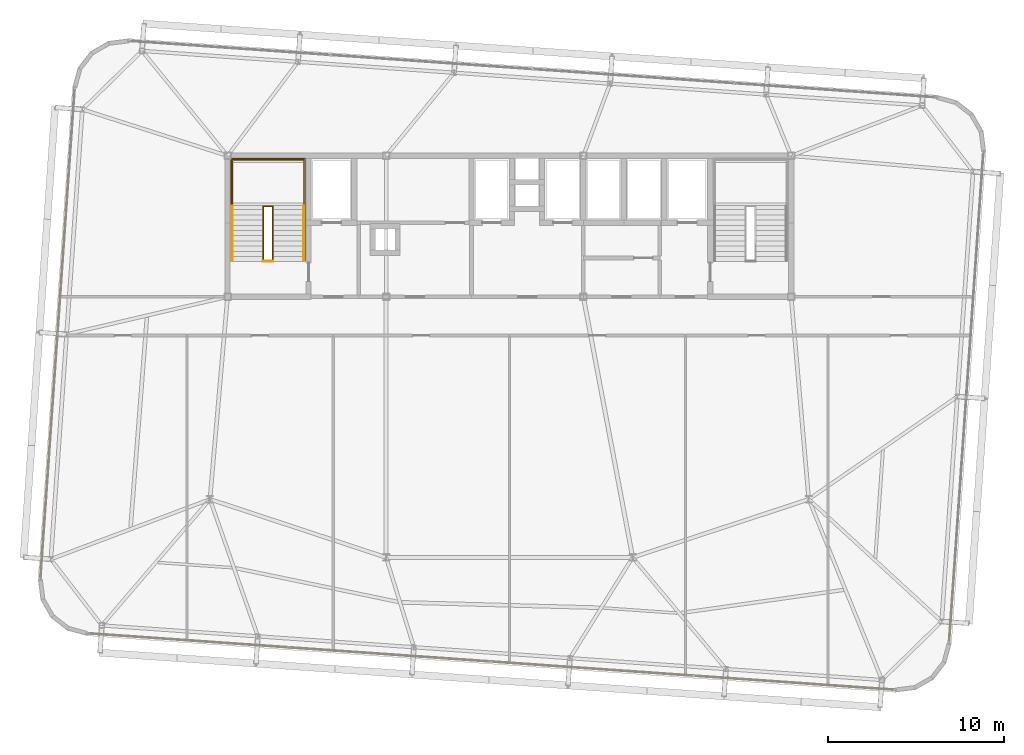
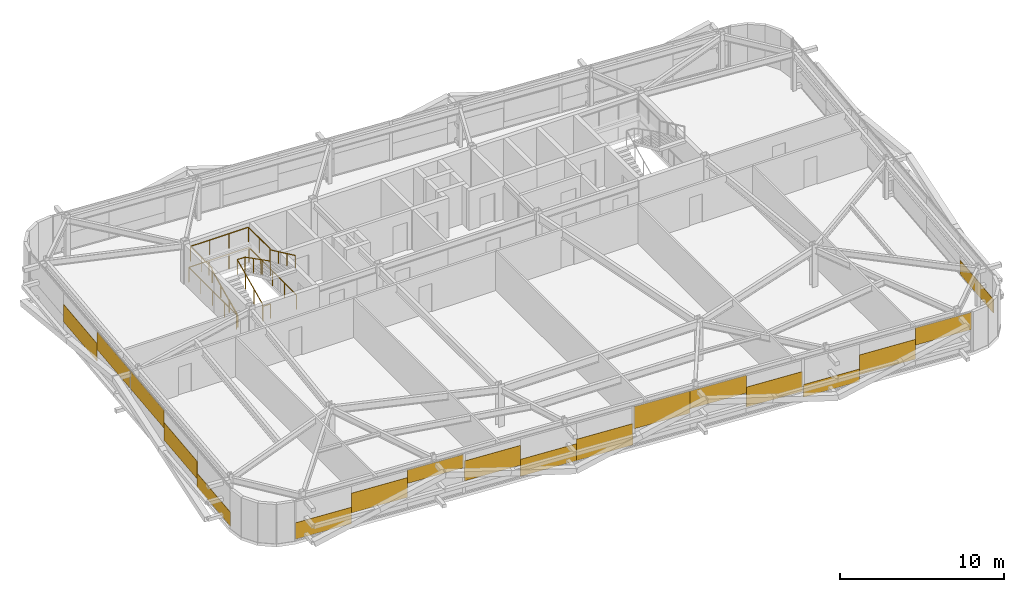
# One storey, part 38 of 39: 18 coverings, 6 railings.
"""IFC4 building model written with IfcOpenShell, lengths in metres."""

from ifc_helpers import new_model, si_unit, direction, frame, origin, origin_2d, place, context, subcontext, project, spatial, rectangle, extrude, source, transform, mapped, material, layer, layer_set, type_object, element, save


model = new_model("IFC4")

# Units and contexts
model_context = context("Model", 3, precision=1e-05, world=origin(), true_north=direction((0.0, 1.0)))
body_context = subcontext(model_context, "Body", "Model", "MODEL_VIEW")
ifc_project = project(units=[si_unit("LENGTHUNIT", "METRE"), si_unit("AREAUNIT", "SQUARE_METRE"), si_unit("VOLUMEUNIT", "CUBIC_METRE"), si_unit("PLANEANGLEUNIT", "RADIAN"), si_unit("MASSUNIT", "GRAM", prefix="KILO")], contexts=[model_context])

# Site, building, storey
site_placement = place(None, origin())
site = spatial("IfcSite", under=ifc_project, at=site_placement, CompositionType="ELEMENT")
building_placement = place(site_placement, origin())
building = spatial("IfcBuilding", under=site, at=building_placement, Name="Taldren Reach Tower", CompositionType="ELEMENT")
storey_placement = place(building_placement, frame((0.0, 0.0, 145.60009765625)))
storey = spatial("IfcBuildingStorey", under=building, at=storey_placement, Name="L44", CompositionType="ELEMENT", Elevation=145.60009765625)

# Railings
ifc_material_1 = material(Name="Steel Gr 350 (C350L0)", Category="steel")
ifc_layer_1 = layer(ifc_material_1, 0.050048828125)
ifc_layer_set_1 = layer_set([ifc_layer_1], Name="Steel Gr 350 (C350L0)")
railing_type_1 = type_object("IfcRailingType", Name="RL-STAIR-GR", PredefinedType="GUARDRAIL", material=ifc_layer_set_1)
railing_1_placement = place(storey_placement, frame((19.260009765625, 29.135009765625, 1.574951171875)))
element("IfcRailing", 1, at=railing_1_placement, inside=storey, type_object=railing_type_1, Name="Stair half-landing perimeter guard ST1-L44", PredefinedType="GUARDRAIL", context=body_context, shape_type="SweptSolid", body=[
    extrude(rectangle(XDim=0.047852, YDim=0.047852, at=origin_2d()), frame((0.0, 0.0, 1.09619140625), z_axis=(0.0, 1.0, 0.0), x_axis=(-1.0, 0.0, 0.0)), (0.0, 0.0, 1.0), 2.64501953125),
    extrude(rectangle(XDim=0.047852, YDim=0.047852, at=origin_2d()), frame((0.0, 2.64501953125, 1.09619140625), z_axis=(1.0, 0.0, 0.0), x_axis=(0.0, 1.0, 0.0)), (0.0, 0.0, 1.0), 4.080078125),
    extrude(rectangle(XDim=0.047852, YDim=0.047852, at=origin_2d()), frame((4.080078125, 2.64501953125, 1.09619140625), z_axis=(0.0, -1.0, 0.0), x_axis=(1.0, 0.0, 0.0)), (0.0, 0.0, 1.0), 2.64501953125),
    extrude(rectangle(XDim=0.041992, YDim=0.041992, at=origin_2d()), origin(), (0.0, 0.0, 1.0), 1.072021484375),
    extrude(rectangle(XDim=0.041992, YDim=0.041992, at=origin_2d()), frame((0.0, 1.322509765625, 0.0)), (0.0, 0.0, 1.0), 1.072021484375),
    extrude(rectangle(XDim=0.041992, YDim=0.041992, at=origin_2d()), frame((0.0, 2.64501953125, 0.0)), (0.0, 0.0, 1.0), 1.072021484375),
    extrude(rectangle(XDim=0.041992, YDim=0.041992, at=origin_2d()), frame((1.360107421875, 2.64501953125, 0.0)), (0.0, 0.0, 1.0), 1.072021484375),
    extrude(rectangle(XDim=0.041992, YDim=0.041992, at=origin_2d()), frame((2.719970703125, 2.64501953125, 0.0)), (0.0, 0.0, 1.0), 1.072021484375),
    extrude(rectangle(XDim=0.041992, YDim=0.041992, at=origin_2d()), frame((4.080078125, 2.64501953125, 0.0)), (0.0, 0.0, 1.0), 1.072021484375),
    extrude(rectangle(XDim=0.041992, YDim=0.041992, at=origin_2d()), frame((4.080078125, 1.322509765625, 0.0)), (0.0, 0.0, 1.0), 1.072021484375),
    extrude(rectangle(XDim=0.041992, YDim=0.041992, at=origin_2d()), frame((4.080078125, 0.0, 0.0)), (0.0, 0.0, 1.0), 1.072021484375),
])
railing_2_placement = place(storey_placement, frame((21.030029296875, 26.050048828125, 0.131103515625)))
element("IfcRailing", 2, at=railing_2_placement, inside=storey, type_object=railing_type_1, Name="Stairwell inner guard ST1-L44", PredefinedType="GUARDRAIL", context=body_context, shape_type="SweptSolid", body=[
    extrude(rectangle(XDim=0.047852, YDim=0.047852, at=origin_2d()), frame((0.0, 0.0, 1.09619140625), z_axis=(0.0, 0.905710134349, 0.423897573167), x_axis=(-1.0, 0.0, 0.0)), (0.0, 0.0, 1.0), 3.406005859375),
    extrude(rectangle(XDim=0.047852, YDim=0.047852, at=origin_2d()), frame((0.0, 3.0849609375, 2.5400390625), z_axis=(1.0, 0.0, 0.0), x_axis=(0.0, 1.0, 0.0)), (0.0, 0.0, 1.0), 0.5400390625),
    extrude(rectangle(XDim=0.047852, YDim=0.047852, at=origin_2d()), frame((0.5400390625, 3.0849609375, 2.5400390625), z_axis=(0.0, -0.890645957773, 0.45469745755), x_axis=(1.0, 0.0, 0.0)), (0.0, 0.0, 1.0), 3.463623046875),
    extrude(rectangle(XDim=0.041992, YDim=0.041992, at=origin_2d()), origin(), (0.0, 0.0, 1.0), 1.072021484375),
    extrude(rectangle(XDim=0.041992, YDim=0.041992, at=origin_2d()), frame((0.0, 1.0283203125, 0.481201171875)), (0.0, 0.0, 1.0), 1.072021484375),
    extrude(rectangle(XDim=0.041992, YDim=0.041992, at=origin_2d()), frame((0.0, 2.056640625, 0.962646484375)), (0.0, 0.0, 1.0), 1.072021484375),
    extrude(rectangle(XDim=0.041992, YDim=0.041992, at=origin_2d()), frame((0.0, 3.0849609375, 1.44384765625)), (0.0, 0.0, 1.0), 1.072021484375),
    extrude(rectangle(XDim=0.041992, YDim=0.041992, at=origin_2d()), frame((0.5400390625, 3.0849609375, 1.44384765625)), (0.0, 0.0, 1.0), 1.072021484375),
    extrude(rectangle(XDim=0.041992, YDim=0.041992, at=origin_2d()), frame((0.5400390625, 2.056640625, 1.96875)), (0.0, 0.0, 1.0), 1.072021484375),
    extrude(rectangle(XDim=0.041992, YDim=0.041992, at=origin_2d()), frame((0.5400390625, 1.0283203125, 2.493896484375)), (0.0, 0.0, 1.0), 1.072021484375),
    extrude(rectangle(XDim=0.041992, YDim=0.041992, at=origin_2d()), frame((0.5400390625, 0.0, 3.018798828125)), (0.0, 0.0, 1.0), 1.072021484375),
])
railing_3_placement = place(storey_placement, frame((21.030029296875, 26.010009765625, 0.0)))
element("IfcRailing", 3, at=railing_3_placement, inside=storey, type_object=railing_type_1, Name="Stairwell landing slot guard ST1-L44", PredefinedType="GUARDRAIL", context=body_context, shape_type="SweptSolid", body=[
    extrude(rectangle(XDim=0.047852, YDim=0.047852, at=origin_2d()), frame((0.0, 0.0, 1.09619140625), z_axis=(1.0, 0.0, 0.0), x_axis=(0.0, 1.0, 0.0)), (0.0, 0.0, 1.0), 0.5400390625),
    extrude(rectangle(XDim=0.041992, YDim=0.041992, at=origin_2d()), origin(), (0.0, 0.0, 1.0), 1.072021484375),
    extrude(rectangle(XDim=0.041992, YDim=0.041992, at=origin_2d()), frame((0.5400390625, 0.0, 0.0)), (0.0, 0.0, 1.0), 1.072021484375),
])
railing_4_placement = place(storey_placement, frame((19.18994140625, 26.050048828125, 0.0)))
element("IfcRailing", 4, at=railing_4_placement, inside=storey, type_object=railing_type_1, Name="Stairwell floor opening guard ST1-L44", PredefinedType="GUARDRAIL", context=body_context, shape_type="SweptSolid", body=[
    extrude(rectangle(XDim=0.047852, YDim=0.047852, at=origin_2d()), frame((0.0, 0.0, 1.09619140625), z_axis=(0.0, 1.0, 0.0), x_axis=(-1.0, 0.0, 0.0)), (0.0, 0.0, 1.0), 5.800048828125),
    extrude(rectangle(XDim=0.047852, YDim=0.047852, at=origin_2d()), frame((0.0, 5.800048828125, 1.09619140625), z_axis=(1.0, 0.0, 0.0), x_axis=(0.0, 1.0, 0.0)), (0.0, 0.0, 1.0), 4.219970703125),
    extrude(rectangle(XDim=0.047852, YDim=0.047852, at=origin_2d()), frame((4.219970703125, 5.800048828125, 1.09619140625), z_axis=(0.0, -1.0, 0.0), x_axis=(1.0, 0.0, 0.0)), (0.0, 0.0, 1.0), 5.800048828125),
    extrude(rectangle(XDim=0.041992, YDim=0.041992, at=origin_2d()), origin(), (0.0, 0.0, 1.0), 1.072021484375),
    extrude(rectangle(XDim=0.041992, YDim=0.041992, at=origin_2d()), frame((0.0, 1.449951171875, 0.0)), (0.0, 0.0, 1.0), 1.072021484375),
    extrude(rectangle(XDim=0.041992, YDim=0.041992, at=origin_2d()), frame((0.0, 2.89990234375, 0.0)), (0.0, 0.0, 1.0), 1.072021484375),
    extrude(rectangle(XDim=0.041992, YDim=0.041992, at=origin_2d()), frame((0.0, 4.35009765625, 0.0)), (0.0, 0.0, 1.0), 1.072021484375),
    extrude(rectangle(XDim=0.041992, YDim=0.041992, at=origin_2d()), frame((0.0, 5.800048828125, 0.0)), (0.0, 0.0, 1.0), 1.072021484375),
    extrude(rectangle(XDim=0.041992, YDim=0.041992, at=origin_2d()), frame((1.40673828125, 5.800048828125, 0.0)), (0.0, 0.0, 1.0), 1.072021484375),
    extrude(rectangle(XDim=0.041992, YDim=0.041992, at=origin_2d()), frame((2.813232421875, 5.800048828125, 0.0)), (0.0, 0.0, 1.0), 1.072021484375),
    extrude(rectangle(XDim=0.041992, YDim=0.041992, at=origin_2d()), frame((4.219970703125, 5.800048828125, 0.0)), (0.0, 0.0, 1.0), 1.072021484375),
    extrude(rectangle(XDim=0.041992, YDim=0.041992, at=origin_2d()), frame((4.219970703125, 4.35009765625, 0.0)), (0.0, 0.0, 1.0), 1.072021484375),
    extrude(rectangle(XDim=0.041992, YDim=0.041992, at=origin_2d()), frame((4.219970703125, 2.89990234375, 0.0)), (0.0, 0.0, 1.0), 1.072021484375),
    extrude(rectangle(XDim=0.041992, YDim=0.041992, at=origin_2d()), frame((4.219970703125, 1.449951171875, 0.0)), (0.0, 0.0, 1.0), 1.072021484375),
    extrude(rectangle(XDim=0.041992, YDim=0.041992, at=origin_2d()), frame((4.219970703125, 0.0, 0.0)), (0.0, 0.0, 1.0), 1.072021484375),
])
ifc_material_2 = material(Name="Stainless Steel Gr 316", Category="steel")
ifc_layer_2 = layer(ifc_material_2, 0.048095703125)
ifc_layer_set_2 = layer_set([ifc_layer_2], Name="Stainless Steel Gr 316")
railing_type_2 = type_object("IfcRailingType", Name="RL-STAIR-HR", PredefinedType="HANDRAIL", material=ifc_layer_set_2)
railing_5_placement = place(storey_placement, frame((19.27001953125, 26.050048828125, 0.131103515625)))
element("IfcRailing", 5, at=railing_5_placement, inside=storey, type_object=railing_type_2, Name="Stair flight handrail ST1-L44-1", PredefinedType="HANDRAIL", context=body_context, shape_type="SweptSolid", body=[
    extrude(rectangle(XDim=0.047852, YDim=0.047852, at=origin_2d()), frame((0.0, 0.0, 0.89599609375), z_axis=(0.0, 0.905710134349, 0.423897573167), x_axis=(-1.0, 0.0, 0.0)), (0.0, 0.0, 1.0), 3.406005859375),
    extrude(rectangle(XDim=0.041992, YDim=0.041992, at=origin_2d()), origin(), (0.0, 0.0, 1.0), 0.871826171875),
    extrude(rectangle(XDim=0.041992, YDim=0.041992, at=origin_2d()), frame((0.0, 1.0283203125, 0.481201171875)), (0.0, 0.0, 1.0), 0.871826171875),
    extrude(rectangle(XDim=0.041992, YDim=0.041992, at=origin_2d()), frame((0.0, 2.056640625, 0.962646484375)), (0.0, 0.0, 1.0), 0.871826171875),
    extrude(rectangle(XDim=0.041992, YDim=0.041992, at=origin_2d()), frame((0.0, 3.0849609375, 1.44384765625)), (0.0, 0.0, 1.0), 0.871826171875),
])
railing_6_placement = place(storey_placement, frame((23.330078125, 29.135009765625, 1.706298828125)))
element("IfcRailing", 6, at=railing_6_placement, inside=storey, type_object=railing_type_2, Name="Stair flight handrail ST1-L44-2", PredefinedType="HANDRAIL", context=body_context, shape_type="SweptSolid", body=[
    extrude(rectangle(XDim=0.047852, YDim=0.047852, at=origin_2d()), frame((0.0, 0.0, 0.89599609375), z_axis=(0.0, -0.905737652094, 0.423838773095), x_axis=(1.0, 0.0, 0.0)), (0.0, 0.0, 1.0), 3.406005859375),
    extrude(rectangle(XDim=0.041992, YDim=0.041992, at=origin_2d()), origin(), (0.0, 0.0, 1.0), 0.871826171875),
    extrude(rectangle(XDim=0.041992, YDim=0.041992, at=origin_2d()), frame((0.0, -1.0283203125, 0.481201171875)), (0.0, 0.0, 1.0), 0.871826171875),
    extrude(rectangle(XDim=0.041992, YDim=0.041992, at=origin_2d()), frame((0.0, -2.056640625, 0.96240234375)), (0.0, 0.0, 1.0), 0.871826171875),
    extrude(rectangle(XDim=0.041992, YDim=0.041992, at=origin_2d()), frame((0.0, -3.0849609375, 1.443603515625)), (0.0, 0.0, 1.0), 0.871826171875),
])

# Coverings
ifc_material_3 = material(Name="Pale Champagne Fluoropolymer Aluminium Spandrel Cladding", Category="aluminium")
ifc_layer_3 = layer(ifc_material_3, 0.0439453125)
ifc_layer_set_3 = layer_set([ifc_layer_3], Name="Pale Champagne Fluoropolymer Aluminium Spandrel Cladding")
covering_type = type_object("IfcCoveringType", Name="CV-CLAD-044", PredefinedType="CLADDING", material=ifc_layer_set_3)
shared_shape_1 = source(origin(), body_context, "Body", "SweptSolid", [
    extrude(rectangle(XDim=3.79833984375, YDim=0.0439453125, at=origin_2d()), origin(), (0.0, 0.0, 1.0), 1.22216796875),
])
covering_1_placement = place(storey_placement, frame((12.994384765625, 4.748046875, 0.054931640625), z_axis=(0.0, 0.0, 1.0), x_axis=(0.99756404731, -0.06975651593, 0.0)))
element("IfcCovering", 7, at=covering_1_placement, inside=storey, type_object=covering_type, Name="Diagrid closure cladding strip CW-4 panel 1.1 1", PredefinedType="CLADDING", context=body_context, shape_type="MappedRepresentation", body=[
    mapped(shared_shape_1, transform((0.0, 0.0, 0.0), scale=1.0)),
])
shared_shape_2 = source(origin(), body_context, "Body", "SweptSolid", [
    extrude(rectangle(XDim=3.79833984375, YDim=0.0439453125, at=origin_2d()), origin(), (0.0, 0.0, 1.0), 1.474365234375),
])
for number, where, z_axis, x_axis, name in (
    (8, (16.783447265625, 4.483154296875, 0.84228515625), (0.0, 0.0, 1.0), (0.99756404731, -0.06975651593, 0.0), "Diagrid closure cladding strip CW-4 panel 1.1 2"),
    (9, (51.16455078125, 2.0791015625, 0.55322265625), (0.0, 0.0, 1.0), (0.99756404731, -0.06975651593, 0.0), "Diagrid closure cladding strip CW-4 panel 4.1 2"),
):
    element("IfcCovering", number, at=place(storey_placement, frame(where, z_axis=z_axis, x_axis=x_axis)), inside=storey, type_object=covering_type, Name=name, PredefinedType="CLADDING", context=body_context, shape_type="MappedRepresentation", body=[
        mapped(shared_shape_2, transform((0.0, 0.0, 0.0), scale=1.0)),
    ])
shared_shape_3 = source(origin(), body_context, "Body", "SweptSolid", [
    extrude(rectangle(XDim=3.79833984375, YDim=0.0439453125, at=origin_2d()), origin(), (0.0, 0.0, 1.0), 0.993408203125),
])
covering_2_placement = place(storey_placement, frame((20.572509765625, 4.21826171875, 1.88134765625), z_axis=(0.0, 0.0, 1.0), x_axis=(0.99756404731, -0.06975651593, 0.0)))
element("IfcCovering", 10, at=covering_2_placement, inside=storey, type_object=covering_type, Name="Diagrid closure cladding strip CW-4 panel 1.1 3", PredefinedType="CLADDING", context=body_context, shape_type="MappedRepresentation", body=[
    mapped(shared_shape_3, transform((0.0, 0.0, 0.0), scale=1.0)),
])
shared_shape_4 = source(origin(), body_context, "Body", "SweptSolid", [
    extrude(rectangle(XDim=3.81005859375, YDim=0.0439453125, at=origin_2d()), origin(), (0.0, 0.0, 1.0), 1.477783203125),
])
for number, where, z_axis, x_axis, name in (
    (11, (24.437255859375, 3.947998046875, 0.88232421875), (0.0, 0.0, 1.0), (0.99756404731, -0.06975651593, 0.0), "Diagrid closure cladding strip CW-4 panel 2.1 1"),
    (12, (43.510498046875, 2.6142578125, 0.509765625), (0.0, 0.0, 1.0), (0.99756404731, -0.06975651593, 0.0), "Diagrid closure cladding strip CW-4 panel 3.1 3"),
):
    element("IfcCovering", number, at=place(storey_placement, frame(where, z_axis=z_axis, x_axis=x_axis)), inside=storey, type_object=covering_type, Name=name, PredefinedType="CLADDING", context=body_context, shape_type="MappedRepresentation", body=[
        mapped(shared_shape_4, transform((0.0, 0.0, 0.0), scale=1.0)),
    ])
shared_shape_5 = source(origin(), body_context, "Body", "SweptSolid", [
    extrude(rectangle(XDim=3.81005859375, YDim=0.0439453125, at=origin_2d()), origin(), (0.0, 0.0, 1.0), 1.26220703125),
])
covering_3_placement = place(storey_placement, frame((28.23779296875, 3.68212890625, 0.054931640625), z_axis=(0.0, 0.0, 1.0), x_axis=(0.99756404731, -0.06975651593, 0.0)))
element("IfcCovering", 13, at=covering_3_placement, inside=storey, type_object=covering_type, Name="Diagrid closure cladding strip CW-4 panel 2.1 2", PredefinedType="CLADDING", context=body_context, shape_type="MappedRepresentation", body=[
    mapped(shared_shape_5, transform((0.0, 0.0, 0.0), scale=1.0)),
])
shared_shape_6 = source(origin(), body_context, "Body", "SweptSolid", [
    extrude(rectangle(XDim=3.81005859375, YDim=0.0439453125, at=origin_2d()), origin(), (0.0, 0.0, 1.0), 1.587890625),
])
covering_4_placement = place(storey_placement, frame((32.03857421875, 3.41650390625, 0.054931640625), z_axis=(0.0, 0.0, 1.0), x_axis=(0.99756404731, -0.06975651593, 0.0)))
element("IfcCovering", 14, at=covering_4_placement, inside=storey, type_object=covering_type, Name="Diagrid closure cladding strip CW-4 panel 2.1 3", PredefinedType="CLADDING", context=body_context, shape_type="MappedRepresentation", body=[
    mapped(shared_shape_6, transform((0.0, 0.0, 0.0), scale=1.0)),
])
shared_shape_7 = source(origin(), body_context, "Body", "SweptSolid", [
    extrude(rectangle(XDim=3.81005859375, YDim=0.0439453125, at=origin_2d()), origin(), (0.0, 0.0, 1.0), 1.64794921875),
])
covering_5_placement = place(storey_placement, frame((35.9091796875, 3.145751953125, 1.22705078125), z_axis=(0.0, 0.0, 1.0), x_axis=(0.99756404731, -0.06975651593, 0.0)))
element("IfcCovering", 15, at=covering_5_placement, inside=storey, type_object=covering_type, Name="Diagrid closure cladding strip CW-4 panel 3.1 1", PredefinedType="CLADDING", context=body_context, shape_type="MappedRepresentation", body=[
    mapped(shared_shape_7, transform((0.0, 0.0, 0.0), scale=1.0)),
])
shared_shape_8 = source(origin(), body_context, "Body", "SweptSolid", [
    extrude(rectangle(XDim=3.81005859375, YDim=0.0439453125, at=origin_2d()), origin(), (0.0, 0.0, 1.0), 1.322265625),
])
covering_6_placement = place(storey_placement, frame((39.7099609375, 2.8798828125, 1.552490234375), z_axis=(0.0, 0.0, 1.0), x_axis=(0.99756404731, -0.06975651593, 0.0)))
element("IfcCovering", 16, at=covering_6_placement, inside=storey, type_object=covering_type, Name="Diagrid closure cladding strip CW-4 panel 3.1 2", PredefinedType="CLADDING", context=body_context, shape_type="MappedRepresentation", body=[
    mapped(shared_shape_8, transform((0.0, 0.0, 0.0), scale=1.0)),
])
shared_shape_9 = source(origin(), body_context, "Body", "SweptSolid", [
    extrude(rectangle(XDim=3.79833984375, YDim=0.0439453125, at=origin_2d()), origin(), (0.0, 0.0, 1.0), 0.93359375),
])
covering_7_placement = place(storey_placement, frame((47.375244140625, 2.343994140625, 0.054931640625), z_axis=(0.0, 0.0, 1.0), x_axis=(0.99756404731, -0.06975651593, 0.0)))
element("IfcCovering", 17, at=covering_7_placement, inside=storey, type_object=covering_type, Name="Diagrid closure cladding strip CW-4 panel 4.1 1", PredefinedType="CLADDING", context=body_context, shape_type="MappedRepresentation", body=[
    mapped(shared_shape_9, transform((0.0, 0.0, 0.0), scale=1.0)),
])
shared_shape_10 = source(origin(), body_context, "Body", "SweptSolid", [
    extrude(rectangle(XDim=3.79833984375, YDim=0.0439453125, at=origin_2d()), origin(), (0.0, 0.0, 1.0), 1.2822265625),
])
covering_8_placement = place(storey_placement, frame((54.95361328125, 1.81396484375, 1.5927734375), z_axis=(0.0, 0.0, 1.0), x_axis=(0.99756404731, -0.06975651593, 0.0)))
element("IfcCovering", 18, at=covering_8_placement, inside=storey, type_object=covering_type, Name="Diagrid closure cladding strip CW-4 panel 4.1 3", PredefinedType="CLADDING", context=body_context, shape_type="MappedRepresentation", body=[
    mapped(shared_shape_10, transform((0.0, 0.0, 0.0), scale=1.0)),
])
shared_shape_11 = source(origin(), body_context, "Body", "SweptSolid", [
    extrude(rectangle(XDim=4.631591796875, YDim=0.0439453125, at=origin_2d()), origin(), (0.0, 0.0, 1.0), 1.04345703125),
])
for number, where, z_axis, x_axis, name in (
    (19, (8.542724609375, 10.318115234375, 0.054931640625), (0.0, 0.0, 1.0), (-0.069756437251, -0.997564052812, 0.0), "Diagrid closure cladding strip CW-4 panel 2.1 3"),
    (20, (60.136962890625, 6.710205078125, 0.054931640625), (0.0, 0.0, 1.0), (0.069756437251, 0.997564052812, 0.0), "Diagrid closure cladding strip CW-4 panel 1.1 1"),
):
    element("IfcCovering", number, at=place(storey_placement, frame(where, z_axis=z_axis, x_axis=x_axis)), inside=storey, type_object=covering_type, Name=name, PredefinedType="CLADDING", context=body_context, shape_type="MappedRepresentation", body=[
        mapped(shared_shape_11, transform((0.0, 0.0, 0.0), scale=1.0)),
    ])
shared_shape_12 = source(origin(), body_context, "Body", "SweptSolid", [
    extrude(rectangle(XDim=4.631591796875, YDim=0.0439453125, at=origin_2d()), origin(), (0.0, 0.0, 1.0), 1.306640625),
])
for number, where, z_axis, x_axis, name in (
    (21, (9.840087890625, 28.869384765625, 0.6708984375), (0.0, 0.0, 1.0), (-0.069756437251, -0.997564052812, 0.0), "Diagrid closure cladding strip CW-4 panel 1.1 2"),
    (22, (8.865966796875, 14.9384765625, 0.6708984375), (0.0, 0.0, 1.0), (-0.069756437251, -0.997564052812, 0.0), "Diagrid closure cladding strip CW-4 panel 2.1 2"),
):
    element("IfcCovering", number, at=place(storey_placement, frame(where, z_axis=z_axis, x_axis=x_axis)), inside=storey, type_object=covering_type, Name=name, PredefinedType="CLADDING", context=body_context, shape_type="MappedRepresentation", body=[
        mapped(shared_shape_12, transform((0.0, 0.0, 0.0), scale=1.0)),
    ])
shared_shape_13 = source(origin(), body_context, "Body", "SweptSolid", [
    extrude(rectangle(XDim=4.631591796875, YDim=0.0439453125, at=origin_2d()), origin(), (0.0, 0.0, 1.0), 1.32470703125),
])
for number, where, z_axis, x_axis, name in (
    (23, (9.51708984375, 24.2490234375, 1.55029296875), (0.0, 0.0, 1.0), (-0.069756437251, -0.997564052812, 0.0), "Diagrid closure cladding strip CW-4 panel 1.1 3"),
    (24, (9.18896484375, 19.558837890625, 1.55029296875), (0.0, 0.0, 1.0), (-0.069756437251, -0.997564052812, 0.0), "Diagrid closure cladding strip CW-4 panel 2.1 1"),
):
    element("IfcCovering", number, at=place(storey_placement, frame(where, z_axis=z_axis, x_axis=x_axis)), inside=storey, type_object=covering_type, Name=name, PredefinedType="CLADDING", context=body_context, shape_type="MappedRepresentation", body=[
        mapped(shared_shape_13, transform((0.0, 0.0, 0.0), scale=1.0)),
    ])

save(model, "model.ifc")
